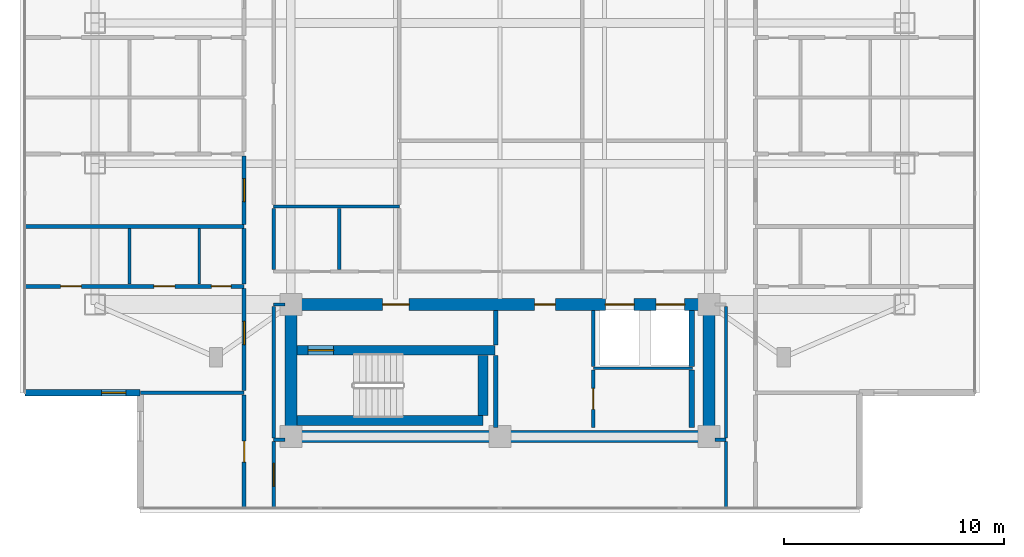
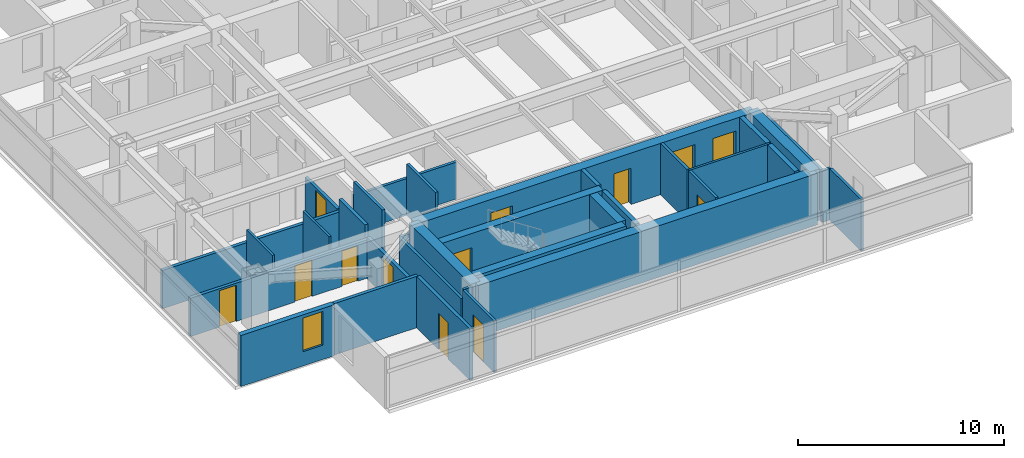
# One storey, part 12 of 25: 34 walls, 13 doors, 1 window, 14 openings.
"""IFC4 building model written with IfcOpenShell, lengths in metres."""

from ifc_helpers import new_model, si_unit, direction, frame, frame_2d, origin, place, context, subcontext, project, spatial, rectangle, extrude, material, layer, layer_set, type_object, element, fill, save


model = new_model("IFC4")

# Units and contexts
model_context = context("Model", 3, precision=1e-05, world=origin(), true_north=direction((0.0, 1.0)))
body_context = subcontext(model_context, "Body", "Model", "MODEL_VIEW")
ifc_project = project(units=[si_unit("LENGTHUNIT", "METRE"), si_unit("AREAUNIT", "SQUARE_METRE"), si_unit("VOLUMEUNIT", "CUBIC_METRE"), si_unit("PLANEANGLEUNIT", "RADIAN"), si_unit("MASSUNIT", "GRAM", prefix="KILO")], contexts=[model_context])

# Site, building, storey
site_placement = place(None, origin())
site = spatial("IfcSite", under=ifc_project, at=site_placement, CompositionType="ELEMENT")
building_placement = place(site_placement, origin())
building = spatial("IfcBuilding", under=site, at=building_placement, Name="Mirazonda Arch Towers", CompositionType="ELEMENT")
storey_placement = place(building_placement, frame((0.0, 0.0, 177.14990234375)))
storey = spatial("IfcBuildingStorey", under=building, at=storey_placement, Name="L50", CompositionType="ELEMENT", Elevation=177.14990234375)

# Wall
ifc_material_1 = material(Name="Concrete C50/60", Category="concrete")
ifc_layer_1 = layer(ifc_material_1, 0.449951171875, Name="WALL-CORE-450")
ifc_layer_set_1 = layer_set([ifc_layer_1], Name="Concrete C50/60")
wall_type_1 = type_object("IfcWallType", Name="WALL-CORE-450", PredefinedType="SHEAR", material=ifc_layer_set_1)
wall_1_placement = place(storey_placement, frame((11.27001953125, 13.1201171875, 0.0), z_axis=(0.0, 0.0, 1.0), x_axis=(1.0, 0.0, 0.0)))
element("IfcWall", 1, at=wall_1_placement, inside=storey, type_object=wall_type_1, Name="L50 Stair Core Shear Wall 003", PredefinedType="SHEAR", context=body_context, shape_type="SweptSolid", body=[
    extrude(rectangle(XDim=8.4599609375, YDim=0.449951171875, at=frame_2d((4.22998046875, 0.0))), origin(), (0.0, 0.0, 1.0), 3.050048828125),
])

# Wall, opening, door
wall_2_placement = place(storey_placement, frame((11.27001953125, 16.320068359375, 0.0), z_axis=(0.0, 0.0, 1.0), x_axis=(1.0, 0.0, 0.0)))
wall_2 = element("IfcWall", 2, at=wall_2_placement, inside=storey, type_object=wall_type_1, Name="L50 Stair Core Shear Wall 007", PredefinedType="SHEAR", context=body_context, shape_type="SweptSolid", body=[
    extrude(rectangle(XDim=9.010009765625, YDim=0.449951171875, at=frame_2d((4.5048828125, 0.0))), origin(), (0.0, 0.0, 1.0), 3.050048828125),
])
opening_1_placement = place(wall_2_placement, frame((0.52001953125, 0.0, 0.0)))
opening_1 = element("IfcOpeningElement", 3, at=opening_1_placement, cuts=wall_2, Name="Opening DR-135", PredefinedType="OPENING", context=body_context, shape_type="SweptSolid", body=[
    extrude(rectangle(XDim=1.14990234375, YDim=2.199951171875, at=frame_2d((0.574951171875, 1.10009765625))), frame((0.0, 0.23486328125, 0.0), z_axis=(0.0, -1.0, 0.0), x_axis=(1.0, 0.0, 0.0)), (0.0, 0.0, 1.0), 0.469970703125),
])
ifc_material_2 = material(Name="Architectural Brushed Steel S355", Category="steel")
door_type_1 = type_object("IfcDoorType", Name="DOOR-STAIR-FD90-1150", OperationType="NOTDEFINED", PredefinedType="DOOR", material=ifc_material_2)
door_1_placement = place(opening_1_placement, origin())
door_1 = element("IfcDoor", 4, at=door_1_placement, inside=storey, type_object=door_type_1, Name="L50 Protected Exit Stair South Door", OperationType="SINGLE_SWING_RIGHT", OverallHeight=2.199951171875, OverallWidth=1.14990234375, PredefinedType="DOOR", context=body_context, shape_type="SweptSolid", body=[
    extrude(rectangle(XDim=1.14990234375, YDim=2.199951171875, at=frame_2d((0.574951171875, 1.10009765625))), frame((0.0, 0.02490234375, 0.0), z_axis=(0.0, -1.0, 0.0), x_axis=(1.0, 0.0, 0.0)), (0.0, 0.0, 1.0), 0.050048828125),
])
fill(opening_1, door_1)

# Walls
wall_3_placement = place(storey_placement, frame((19.72998046875, 13.35498046875, 0.0), z_axis=(0.0, 0.0, 1.0), x_axis=(0.0, 1.0, 0.0)))
element("IfcWall", 5, at=wall_3_placement, inside=storey, type_object=wall_type_1, Name="L50 Stair Core Shear Wall 096", PredefinedType="SHEAR", context=body_context, shape_type="SweptSolid", body=[
    extrude(rectangle(XDim=2.72998046875, YDim=0.449951171875, at=frame_2d((1.364990234375, 0.0))), origin(), (0.0, 0.0, 1.0), 3.050048828125),
])
ifc_layer_2 = layer(ifc_material_1, 0.550048828125, Name="WALL-CORE-550")
ifc_layer_set_2 = layer_set([ifc_layer_2], Name="Concrete C50/60")
wall_type_2 = type_object("IfcWallType", Name="WALL-CORE-550", PredefinedType="SHEAR", material=ifc_layer_set_2)
wall_4_placement = place(storey_placement, frame((11.0, 12.39990234375, 0.0), z_axis=(0.0, 0.0, 1.0), x_axis=(1.0, 0.0, 0.0)))
element("IfcWall", 6, at=wall_4_placement, inside=storey, type_object=wall_type_2, Name="L50 T1S-S Core Shear Wall", PredefinedType="SHEAR", context=body_context, shape_type="SweptSolid", body=[
    extrude(rectangle(XDim=19.0, YDim=0.550048828125, at=frame_2d((9.5, 0.0))), origin(), (0.0, 0.0, 1.0), 3.050048828125),
])
for number, where, z_axis, x_axis, name in (
    (7, (11.0, 12.39990234375, 0.0), (0.0, 0.0, 1.0), (0.0, 1.0, 0.0), "L50 T1S-W Core Shear Wall"),
    (8, (30.0, 12.39990234375, 0.0), (0.0, 0.0, 1.0), (0.0, 1.0, 0.0), "L50 T1S-E Core Shear Wall"),
):
    element("IfcWall", number, at=place(storey_placement, frame(where, z_axis=z_axis, x_axis=x_axis)), inside=storey, type_object=wall_type_2, Name=name, PredefinedType="SHEAR", context=body_context, shape_type="SweptSolid", body=[
        extrude(rectangle(XDim=6.0, YDim=0.550048828125, at=frame_2d((3.0, 0.0))), origin(), (0.0, 0.0, 1.0), 3.050048828125),
    ])

# Wall, openings, doors
wall_5_placement = place(storey_placement, frame((11.0, 18.39990234375, 0.0), z_axis=(0.0, 0.0, 1.0), x_axis=(1.0, 0.0, 0.0)))
wall_5 = element("IfcWall", 9, at=wall_5_placement, inside=storey, type_object=wall_type_2, Name="L50 T1S-N Core Shear Wall", PredefinedType="SHEAR", context=body_context, shape_type="SweptSolid", body=[
    extrude(rectangle(XDim=19.0, YDim=0.550048828125, at=frame_2d((9.5, 0.0))), origin(), (0.0, 0.0, 1.0), 3.050048828125),
])
opening_2_placement = place(wall_5_placement, frame((4.175048828125, 0.0, 0.0)))
opening_2 = element("IfcOpeningElement", 10, at=opening_2_placement, cuts=wall_5, Name="Opening DR-117", PredefinedType="OPENING", context=body_context, shape_type="SweptSolid", body=[
    extrude(rectangle(XDim=1.199951171875, YDim=2.25, at=frame_2d((0.60009765625, 1.125))), frame((0.0, 0.284912109375, 0.0), z_axis=(0.0, -1.0, 0.0), x_axis=(1.0, 0.0, 0.0)), (0.0, 0.0, 1.0), 0.570068359375),
])
opening_3_placement = place(wall_5_placement, frame((11.074951171875, 0.0, 0.0)))
opening_3 = element("IfcOpeningElement", 11, at=opening_3_placement, cuts=wall_5, Name="Opening DR-104", PredefinedType="OPENING", context=body_context, shape_type="SweptSolid", body=[
    extrude(rectangle(XDim=0.949951171875, YDim=2.14990234375, at=frame_2d((0.47509765625, 1.074951171875))), frame((0.0, 0.284912109375, 0.0), z_axis=(0.0, -1.0, 0.0), x_axis=(1.0, 0.0, 0.0)), (0.0, 0.0, 1.0), 0.570068359375),
])
opening_4_placement = place(wall_5_placement, frame((14.300048828125, 0.0, 0.0)))
opening_4 = element("IfcOpeningElement", 12, at=opening_4_placement, cuts=wall_5, Name="Opening LD-111", PredefinedType="OPENING", context=body_context, shape_type="SweptSolid", body=[
    extrude(rectangle(XDim=1.300048828125, YDim=2.300048828125, at=frame_2d((0.64990234375, 1.14990234375))), frame((0.0, 0.284912109375, 0.0), z_axis=(0.0, -1.0, 0.0), x_axis=(1.0, 0.0, 0.0)), (0.0, 0.0, 1.0), 0.570068359375),
])
opening_5_placement = place(wall_5_placement, frame((16.60009765625, 0.0, 0.0)))
opening_5 = element("IfcOpeningElement", 13, at=opening_5_placement, cuts=wall_5, Name="Opening LD-111", PredefinedType="OPENING", context=body_context, shape_type="SweptSolid", body=[
    extrude(rectangle(XDim=1.300048828125, YDim=2.300048828125, at=frame_2d((0.64990234375, 1.14990234375))), frame((0.0, 0.284912109375, 0.0), z_axis=(0.0, -1.0, 0.0), x_axis=(1.0, 0.0, 0.0)), (0.0, 0.0, 1.0), 0.570068359375),
])
door_type_2 = type_object("IfcDoorType", Name="DOOR-FFL-FD90-1200", OperationType="NOTDEFINED", PredefinedType="DOOR", material=ifc_material_2)
door_2_placement = place(opening_2_placement, origin())
door_2 = element("IfcDoor", 14, at=door_2_placement, inside=storey, type_object=door_type_2, Name="L50 South Core Stair & Lift Lobby Door", OperationType="SINGLE_SWING_LEFT", OverallHeight=2.25, OverallWidth=1.199951171875, PredefinedType="DOOR", context=body_context, shape_type="SweptSolid", body=[
    extrude(rectangle(XDim=1.199951171875, YDim=2.25, at=frame_2d((0.60009765625, 1.125))), frame((0.0, 0.02490234375, 0.0), z_axis=(0.0, -1.0, 0.0), x_axis=(1.0, 0.0, 0.0)), (0.0, 0.0, 1.0), 0.050048828125),
])
fill(opening_2, door_2)
door_type_3 = type_object("IfcDoorType", Name="DOOR-LIFT-LAND-1300", OperationType="NOTDEFINED", PredefinedType="DOOR", material=ifc_material_2)
door_3_placement = place(opening_4_placement, origin())
door_3 = element("IfcDoor", 15, at=door_3_placement, inside=storey, type_object=door_type_3, Name="L50 Lift Landing Sliding Door PL-T1H1", OperationType="DOUBLE_DOOR_SLIDING", OverallHeight=2.300048828125, OverallWidth=1.300048828125, PredefinedType="DOOR", context=body_context, shape_type="SweptSolid", body=[
    extrude(rectangle(XDim=1.300048828125, YDim=2.300048828125, at=frame_2d((0.64990234375, 1.14990234375))), frame((0.0, 0.02490234375, 0.0), z_axis=(0.0, -1.0, 0.0), x_axis=(1.0, 0.0, 0.0)), (0.0, 0.0, 1.0), 0.050048828125),
])
fill(opening_4, door_3)
door_4_placement = place(opening_5_placement, origin())
door_4 = element("IfcDoor", 16, at=door_4_placement, inside=storey, type_object=door_type_3, Name="L50 Lift Landing Sliding Door PL-T1H2", OperationType="DOUBLE_DOOR_SLIDING", OverallHeight=2.300048828125, OverallWidth=1.300048828125, PredefinedType="DOOR", context=body_context, shape_type="SweptSolid", body=[
    extrude(rectangle(XDim=1.300048828125, YDim=2.300048828125, at=frame_2d((0.64990234375, 1.14990234375))), frame((0.0, 0.02490234375, 0.0), z_axis=(0.0, -1.0, 0.0), x_axis=(1.0, 0.0, 0.0)), (0.0, 0.0, 1.0), 0.050048828125),
])
fill(opening_5, door_4)
door_type_4 = type_object("IfcDoorType", Name="DOOR-ROOM-950", OperationType="NOTDEFINED", PredefinedType="DOOR", material=ifc_material_2)
door_5_placement = place(opening_3_placement, origin())
door_5 = element("IfcDoor", 17, at=door_5_placement, inside=storey, type_object=door_type_4, Name="L50 Residents Wine Tasting Lounge Door", OperationType="SINGLE_SWING_LEFT", OverallHeight=2.14990234375, OverallWidth=0.949951171875, PredefinedType="DOOR", context=body_context, shape_type="SweptSolid", body=[
    extrude(rectangle(XDim=0.949951171875, YDim=2.14990234375, at=frame_2d((0.47509765625, 1.074951171875))), frame((0.0, 0.02490234375, 0.0), z_axis=(0.0, -1.0, 0.0), x_axis=(1.0, 0.0, 0.0)), (0.0, 0.0, 1.0), 0.050048828125),
])
fill(opening_3, door_5)

# Wall, opening, window
ifc_material_3 = material(Name="Precast Concrete C40/50", Category="concrete")
ifc_layer_3 = layer(ifc_material_3, 0.280029296875, Name="WALL-EXT-WALL-280")
ifc_layer_set_3 = layer_set([ifc_layer_3], Name="Precast Concrete C40/50")
wall_type_3 = type_object("IfcWallType", Name="WALL-EXT-WALL-280", PredefinedType="SOLIDWALL", material=ifc_layer_set_3)
wall_6_placement = place(storey_placement, frame((-1.090087890625, 14.388916015625, 0.0), z_axis=(0.0, 0.0, 1.0), x_axis=(1.0, 0.0, 0.0)))
wall_6 = element("IfcWall", 18, at=wall_6_placement, inside=storey, type_object=wall_type_3, Name="L50 T1 Corner Notch Return Wall WL-L50-T1-CSW2", PredefinedType="SOLIDWALL", context=body_context, shape_type="SweptSolid", body=[
    extrude(rectangle(XDim=5.2451171875, YDim=0.280029296875, at=frame_2d((2.62255859375, 0.0))), origin(), (0.0, 0.0, 1.0), 3.030029296875),
])
opening_6_placement = place(wall_6_placement, frame((3.4951171875, 0.0, 0.85009765625)))
opening_6 = element("IfcOpeningElement", 19, at=opening_6_placement, cuts=wall_6, Name="Opening WN-108", PredefinedType="OPENING", context=body_context, shape_type="SweptSolid", body=[
    extrude(rectangle(XDim=1.10009765625, YDim=2.0, at=frame_2d((0.550048828125, 1.0))), frame((0.0, 0.14990234375, 0.0), z_axis=(0.0, -1.0, 0.0), x_axis=(1.0, 0.0, 0.0)), (0.0, 0.0, 1.0), 0.300048828125),
])
ifc_material_4 = material(Name="Insulated Low-E Solar Glass", Category="glass")
window_type = type_object("IfcWindowType", Name="WIN-NOTCH-1100x2000", PartitioningType="SINGLE_PANEL", PredefinedType="WINDOW", material=ifc_material_4)
window_placement = place(opening_6_placement, origin())
window = element("IfcWindow", 20, at=window_placement, inside=storey, type_object=window_type, Name="L50 Punched Facade Window WN-L50-T1-CSW2", OverallHeight=2.0, OverallWidth=1.10009765625, PartitioningType="SINGLE_PANEL", PredefinedType="WINDOW", context=body_context, shape_type="SweptSolid", body=[
    extrude(rectangle(XDim=1.10009765625, YDim=2.0, at=frame_2d((0.550048828125, 1.0))), frame((0.0, 0.030029296875, 0.0), z_axis=(0.0, -1.0, 0.0), x_axis=(1.0, 0.0, 0.0)), (0.0, 0.0, 1.0), 0.06005859375),
])
fill(opening_6, window)

# Walls
ifc_material_5 = material(Name="Concrete C40/50", Category="concrete")
ifc_layer_4 = layer(ifc_material_5, 0.219970703125, Name="WALL-FFL-220")
ifc_layer_set_4 = layer_set([ifc_layer_4], Name="Concrete C40/50")
wall_type_4 = type_object("IfcWallType", Name="WALL-FFL-220", PredefinedType="SOLIDWALL", material=ifc_layer_set_4)
wall_7_placement = place(storey_placement, frame((20.31494140625, 12.800048828125, 0.0), z_axis=(0.0, 0.0, 1.0), x_axis=(0.0, 1.0, 0.0)))
element("IfcWall", 21, at=wall_7_placement, inside=storey, type_object=wall_type_4, Name="L50 Interior Partition 098", PredefinedType="SOLIDWALL", context=body_context, shape_type="SweptSolid", body=[
    extrude(rectangle(XDim=3.284912109375, YDim=0.219970703125, at=frame_2d((1.642578125, 0.0))), origin(), (0.0, 0.0, 1.0), 3.050048828125),
])
wall_8_placement = place(storey_placement, frame((20.31494140625, 16.554931640625, 0.0), z_axis=(0.0, 0.0, 1.0), x_axis=(0.0, 1.0, 0.0)))
element("IfcWall", 22, at=wall_8_placement, inside=storey, type_object=wall_type_4, Name="L50 Interior Partition 099", PredefinedType="SOLIDWALL", context=body_context, shape_type="SweptSolid", body=[
    extrude(rectangle(XDim=1.574951171875, YDim=0.219970703125, at=frame_2d((0.78759765625, 0.0))), origin(), (0.0, 0.0, 1.0), 3.050048828125),
])
ifc_material_6 = material(Name="Fire-Rated Gypsum Stud Partition")
ifc_layer_5 = layer(ifc_material_6, 0.14990234375, Name="WALL-PART-CORR-150")
ifc_layer_set_5 = layer_set([ifc_layer_5], Name="Fire-Rated Gypsum Stud Partition")
wall_type_5 = type_object("IfcWallType", Name="WALL-PART-CORR-150", PredefinedType="PARTITIONING", material=ifc_layer_set_5)
for number, where, z_axis, x_axis, name in (
    (23, (10.219970703125, 12.25, 0.0), (0.0, 0.0, 1.0), (1.0, 0.0, 0.0), "L50 Interior Partition 001"),
    (24, (30.27001953125, 12.25, 0.0), (0.0, 0.0, 1.0), (1.0, 0.0, 0.0), "L50 Interior Partition 002"),
):
    element("IfcWall", number, at=place(storey_placement, frame(where, z_axis=z_axis, x_axis=x_axis)), inside=storey, type_object=wall_type_5, Name=name, PredefinedType="PARTITIONING", context=body_context, shape_type="SweptSolid", body=[
        extrude(rectangle(XDim=0.510009765625, YDim=0.14990234375, at=frame_2d((0.2548828125, 0.0))), origin(), (0.0, 0.0, 1.0), 3.050048828125),
    ])
wall_9_placement = place(storey_placement, frame((10.219970703125, 18.39990234375, 0.0), z_axis=(0.0, 0.0, 1.0), x_axis=(1.0, 0.0, 0.0)))
element("IfcWall", 25, at=wall_9_placement, inside=storey, type_object=wall_type_5, Name="L50 Interior Partition 011", PredefinedType="PARTITIONING", context=body_context, shape_type="SweptSolid", body=[
    extrude(rectangle(XDim=0.510009765625, YDim=0.14990234375, at=frame_2d((0.2548828125, 0.0))), origin(), (0.0, 0.0, 1.0), 2.442138671875),
])
wall_10_placement = place(storey_placement, frame((10.219970703125, 22.85009765625, 0.0), z_axis=(0.0, 0.0, 1.0), x_axis=(1.0, 0.0, 0.0)))
element("IfcWall", 26, at=wall_10_placement, inside=storey, type_object=wall_type_5, Name="L50 Interior Partition 025", PredefinedType="PARTITIONING", context=body_context, shape_type="SweptSolid", body=[
    extrude(rectangle(XDim=5.7099609375, YDim=0.14990234375, at=frame_2d((2.85498046875, 0.0))), origin(), (0.0, 0.0, 1.0), 2.18603515625),
])

# Wall, opening, door
wall_11_placement = place(storey_placement, frame((10.219970703125, 9.14404296875, 0.0), z_axis=(0.0, 0.0, 1.0), x_axis=(0.0, 1.0, 0.0)))
wall_11 = element("IfcWall", 27, at=wall_11_placement, inside=storey, type_object=wall_type_5, Name="L50 Interior Partition 082", PredefinedType="PARTITIONING", context=body_context, shape_type="SweptSolid", body=[
    extrude(rectangle(XDim=3.02099609375, YDim=0.14990234375, at=frame_2d((1.510498046875, 0.0))), origin(), (0.0, 0.0, 1.0), 3.050048828125),
])
opening_7_placement = place(wall_11_placement, frame((0.985595703125, 0.0, 0.0)))
opening_7 = element("IfcOpeningElement", 28, at=opening_7_placement, cuts=wall_11, Name="Opening DR-121", PredefinedType="OPENING", context=body_context, shape_type="SweptSolid", body=[
    extrude(rectangle(XDim=1.050048828125, YDim=2.199951171875, at=frame_2d((0.52490234375, 1.10009765625))), frame((0.0, 0.0849609375, 0.0), z_axis=(0.0, -1.0, 0.0), x_axis=(1.0, 0.0, 0.0)), (0.0, 0.0, 1.0), 0.169921875),
])
door_type_5 = type_object("IfcDoorType", Name="DOOR-SUITE-FD60-1050", OperationType="NOTDEFINED", PredefinedType="DOOR", material=ifc_material_2)
door_6_placement = place(opening_7_placement, origin())
door_6 = element("IfcDoor", 29, at=door_6_placement, inside=storey, type_object=door_type_5, Name="L50 South Panoramic Study Gallery Door", OperationType="SINGLE_SWING_RIGHT", OverallHeight=2.199951171875, OverallWidth=1.050048828125, PredefinedType="DOOR", context=body_context, shape_type="SweptSolid", body=[
    extrude(rectangle(XDim=1.050048828125, YDim=2.199951171875, at=frame_2d((0.52490234375, 1.10009765625))), frame((0.0, 0.02490234375, 0.0), z_axis=(0.0, -1.0, 0.0), x_axis=(1.0, 0.0, 0.0)), (0.0, 0.0, 1.0), 0.050048828125),
])
fill(opening_7, door_6)

# Walls
wall_12_placement = place(storey_placement, frame((10.219970703125, 12.3349609375, 0.0), z_axis=(0.0, 0.0, 1.0), x_axis=(0.0, 1.0, 0.0)))
element("IfcWall", 30, at=wall_12_placement, inside=storey, type_object=wall_type_5, Name="L50 Interior Partition 083", PredefinedType="PARTITIONING", context=body_context, shape_type="SweptSolid", body=[
    extrude(rectangle(XDim=5.97998046875, YDim=0.14990234375, at=frame_2d((2.989990234375, 0.0))), origin(), (0.0, 0.0, 1.0), 2.442138671875),
])
for number, where, z_axis, x_axis, name in (
    (31, (10.219970703125, 19.985107421875, 0.0), (0.0, 0.0, 1.0), (0.0, 1.0, 0.0), "L50 Interior Partition 084"),
    (32, (13.199951171875, 19.985107421875, 0.0), (0.0, 0.0, 1.0), (0.0, 1.0, 0.0), "L50 Interior Partition 089"),
):
    element("IfcWall", number, at=place(storey_placement, frame(where, z_axis=z_axis, x_axis=x_axis)), inside=storey, type_object=wall_type_5, Name=name, PredefinedType="PARTITIONING", context=body_context, shape_type="SweptSolid", body=[
        extrude(rectangle(XDim=2.77978515625, YDim=0.14990234375, at=frame_2d((1.389892578125, 0.0))), origin(), (0.0, 0.0, 1.0), 3.050048828125),
    ])

# Wall, opening, door
wall_13_placement = place(storey_placement, frame((24.75, 12.800048828125, 0.0), z_axis=(0.0, 0.0, 1.0), x_axis=(0.0, 1.0, 0.0)))
wall_13 = element("IfcWall", 33, at=wall_13_placement, inside=storey, type_object=wall_type_5, Name="L50 Interior Partition 103", PredefinedType="PARTITIONING", context=body_context, shape_type="SweptSolid", body=[
    extrude(rectangle(XDim=2.62744140625, YDim=0.14990234375, at=frame_2d((1.313720703125, 0.0))), origin(), (0.0, 0.0, 1.0), 3.050048828125),
])
opening_8_placement = place(wall_13_placement, frame((0.838623046875, 0.0, 0.0)))
opening_8 = element("IfcOpeningElement", 34, at=opening_8_placement, cuts=wall_13, Name="Opening DR-104", PredefinedType="OPENING", context=body_context, shape_type="SweptSolid", body=[
    extrude(rectangle(XDim=0.949951171875, YDim=2.14990234375, at=frame_2d((0.47509765625, 1.074951171875))), frame((0.0, 0.0849609375, 0.0), z_axis=(0.0, -1.0, 0.0), x_axis=(1.0, 0.0, 0.0)), (0.0, 0.0, 1.0), 0.169921875),
])
door_7_placement = place(opening_8_placement, origin())
door_7 = element("IfcDoor", 35, at=door_7_placement, inside=storey, type_object=door_type_4, Name="L50 Residents Private Archive Study Door", OperationType="SINGLE_SWING_RIGHT", OverallHeight=2.14990234375, OverallWidth=0.949951171875, PredefinedType="DOOR", context=body_context, shape_type="SweptSolid", body=[
    extrude(rectangle(XDim=0.949951171875, YDim=2.14990234375, at=frame_2d((0.47509765625, 1.074951171875))), frame((0.0, 0.02490234375, 0.0), z_axis=(0.0, -1.0, 0.0), x_axis=(1.0, 0.0, 0.0)), (0.0, 0.0, 1.0), 0.050048828125),
])
fill(opening_8, door_7)

# Walls
wall_14_placement = place(storey_placement, frame((24.75, 15.572509765625, 0.0), z_axis=(0.0, 0.0, 1.0), x_axis=(0.0, 1.0, 0.0)))
element("IfcWall", 36, at=wall_14_placement, inside=storey, type_object=wall_type_5, Name="L50 Interior Partition 104", PredefinedType="PARTITIONING", context=body_context, shape_type="SweptSolid", body=[
    extrude(rectangle(XDim=2.557373046875, YDim=0.14990234375, at=frame_2d((1.27880859375, 0.0))), origin(), (0.0, 0.0, 1.0), 3.050048828125),
])
wall_15_placement = place(storey_placement, frame((30.780029296875, 9.14404296875, 0.0), z_axis=(0.0, 0.0, 1.0), x_axis=(0.0, 1.0, 0.0)))
element("IfcWall", 37, at=wall_15_placement, inside=storey, type_object=wall_type_5, Name="L50 Interior Partition 114", PredefinedType="PARTITIONING", context=body_context, shape_type="SweptSolid", body=[
    extrude(rectangle(XDim=3.02099609375, YDim=0.14990234375, at=frame_2d((1.510498046875, 0.0))), origin(), (0.0, 0.0, 1.0), 3.050048828125),
])
wall_16_placement = place(storey_placement, frame((30.780029296875, 12.3349609375, 0.0), z_axis=(0.0, 0.0, 1.0), x_axis=(0.0, 1.0, 0.0)))
element("IfcWall", 38, at=wall_16_placement, inside=storey, type_object=wall_type_5, Name="L50 Interior Partition 115", PredefinedType="PARTITIONING", context=body_context, shape_type="SweptSolid", body=[
    extrude(rectangle(XDim=5.97998046875, YDim=0.14990234375, at=frame_2d((2.989990234375, 0.0))), origin(), (0.0, 0.0, 1.0), 2.442138671875),
])
ifc_material_7 = material(Name="Fire-Rated Gypsum Twin-Stud Assembly")
ifc_layer_6 = layer(ifc_material_7, 0.179931640625, Name="WALL-PART-DEMISE-180")
ifc_layer_set_6 = layer_set([ifc_layer_6], Name="Fire-Rated Gypsum Twin-Stud Assembly")
wall_type_6 = type_object("IfcWallType", Name="WALL-PART-DEMISE-180", PredefinedType="PARTITIONING", material=ifc_layer_set_6)
wall_17_placement = place(storey_placement, frame((4.175048828125, 14.388916015625, 0.0), z_axis=(0.0, 0.0, 1.0), x_axis=(1.0, 0.0, 0.0)))
element("IfcWall", 39, at=wall_17_placement, inside=storey, type_object=wall_type_6, Name="L50 Interior Partition 004", PredefinedType="PARTITIONING", context=body_context, shape_type="SweptSolid", body=[
    extrude(rectangle(XDim=4.704833984375, YDim=0.179931640625, at=frame_2d((2.3525390625, 0.0))), origin(), (0.0, 0.0, 1.0), 3.050048828125),
])

# Wall, openings, doors
wall_18_placement = place(storey_placement, frame((-1.090087890625, 19.22509765625, 0.0), z_axis=(0.0, 0.0, 1.0), x_axis=(1.0, 0.0, 0.0)))
wall_18 = element("IfcWall", 40, at=wall_18_placement, inside=storey, type_object=wall_type_6, Name="L50 Interior Partition 014", PredefinedType="PARTITIONING", context=body_context, shape_type="SweptSolid", body=[
    extrude(rectangle(XDim=9.969970703125, YDim=0.179931640625, at=frame_2d((4.98486328125, 0.0))), origin(), (0.0, 0.0, 1.0), 2.26904296875),
])
opening_9_placement = place(wall_18_placement, frame((1.6240234375, 0.0, 0.0)))
opening_9 = element("IfcOpeningElement", 41, at=opening_9_placement, cuts=wall_18, Name="Opening DR-104", PredefinedType="OPENING", context=body_context, shape_type="SweptSolid", body=[
    extrude(rectangle(XDim=0.949951171875, YDim=2.14990234375, at=frame_2d((0.47509765625, 1.074951171875))), frame((0.0, 0.099853515625, 0.0), z_axis=(0.0, -1.0, 0.0), x_axis=(1.0, 0.0, 0.0)), (0.0, 0.0, 1.0), 0.199951171875),
])
opening_10_placement = place(wall_18_placement, frame((5.868896484375, 0.0, 0.0)))
opening_10 = element("IfcOpeningElement", 42, at=opening_10_placement, cuts=wall_18, Name="Opening DR-104", PredefinedType="OPENING", context=body_context, shape_type="SweptSolid", body=[
    extrude(rectangle(XDim=0.949951171875, YDim=2.14990234375, at=frame_2d((0.47509765625, 1.074951171875))), frame((0.0, 0.099853515625, 0.0), z_axis=(0.0, -1.0, 0.0), x_axis=(1.0, 0.0, 0.0)), (0.0, 0.0, 1.0), 0.199951171875),
])
opening_11_placement = place(wall_18_placement, frame((8.47998046875, 0.0, 0.0)))
opening_11 = element("IfcOpeningElement", 43, at=opening_11_placement, cuts=wall_18, Name="Opening DR-120", PredefinedType="OPENING", context=body_context, shape_type="SweptSolid", body=[
    extrude(rectangle(XDim=0.89990234375, YDim=2.10009765625, at=frame_2d((0.449951171875, 1.050048828125))), frame((0.0, 0.099853515625, 0.0), z_axis=(0.0, -1.0, 0.0), x_axis=(1.0, 0.0, 0.0)), (0.0, 0.0, 1.0), 0.199951171875),
])
door_8_placement = place(opening_9_placement, origin())
door_8 = element("IfcDoor", 44, at=door_8_placement, inside=storey, type_object=door_type_4, Name="L50 Residence 1 Principal Bedroom Door", OperationType="SINGLE_SWING_LEFT", OverallHeight=2.14990234375, OverallWidth=0.949951171875, PredefinedType="DOOR", context=body_context, shape_type="SweptSolid", body=[
    extrude(rectangle(XDim=0.949951171875, YDim=2.14990234375, at=frame_2d((0.47509765625, 1.074951171875))), frame((0.0, 0.02490234375, 0.0), z_axis=(0.0, -1.0, 0.0), x_axis=(1.0, 0.0, 0.0)), (0.0, 0.0, 1.0), 0.050048828125),
])
fill(opening_9, door_8)
door_9_placement = place(opening_10_placement, origin())
door_9 = element("IfcDoor", 45, at=door_9_placement, inside=storey, type_object=door_type_4, Name="L50 Residence 1 Fitted Kitchen Door", OperationType="SINGLE_SWING_RIGHT", OverallHeight=2.14990234375, OverallWidth=0.949951171875, PredefinedType="DOOR", context=body_context, shape_type="SweptSolid", body=[
    extrude(rectangle(XDim=0.949951171875, YDim=2.14990234375, at=frame_2d((0.47509765625, 1.074951171875))), frame((0.0, 0.02490234375, 0.0), z_axis=(0.0, -1.0, 0.0), x_axis=(1.0, 0.0, 0.0)), (0.0, 0.0, 1.0), 0.050048828125),
])
fill(opening_10, door_9)
door_type_6 = type_object("IfcDoorType", Name="DOOR-WC-900", OperationType="NOTDEFINED", PredefinedType="DOOR", material=ifc_material_2)
door_10_placement = place(opening_11_placement, origin())
door_10 = element("IfcDoor", 46, at=door_10_placement, inside=storey, type_object=door_type_6, Name="L50 Residence 1 Bathroom Door", OperationType="SINGLE_SWING_LEFT", OverallHeight=2.10009765625, OverallWidth=0.89990234375, PredefinedType="DOOR", context=body_context, shape_type="SweptSolid", body=[
    extrude(rectangle(XDim=0.89990234375, YDim=2.10009765625, at=frame_2d((0.449951171875, 1.050048828125))), frame((0.0, 0.02490234375, 0.0), z_axis=(0.0, -1.0, 0.0), x_axis=(1.0, 0.0, 0.0)), (0.0, 0.0, 1.0), 0.050048828125),
])
fill(opening_11, door_10)

# Wall
wall_19_placement = place(storey_placement, frame((-1.090087890625, 21.945068359375, 0.0), z_axis=(0.0, 0.0, 1.0), x_axis=(1.0, 0.0, 0.0)))
element("IfcWall", 47, at=wall_19_placement, inside=storey, type_object=wall_type_6, Name="L50 Interior Partition 021", PredefinedType="PARTITIONING", context=body_context, shape_type="SweptSolid", body=[
    extrude(rectangle(XDim=9.969970703125, YDim=0.179931640625, at=frame_2d((4.98486328125, 0.0))), origin(), (0.0, 0.0, 1.0), 2.26904296875),
])

# Wall, opening, door
wall_20_placement = place(storey_placement, frame((8.8798828125, 9.14404296875, 0.0), z_axis=(0.0, 0.0, 1.0), x_axis=(0.0, 1.0, 0.0)))
wall_20 = element("IfcWall", 48, at=wall_20_placement, inside=storey, type_object=wall_type_6, Name="L50 Interior Partition 072", PredefinedType="PARTITIONING", context=body_context, shape_type="SweptSolid", body=[
    extrude(rectangle(XDim=5.14501953125, YDim=0.179931640625, at=frame_2d((2.572509765625, 0.0))), origin(), (0.0, 0.0, 1.0), 3.050048828125),
])
opening_12_placement = place(wall_20_placement, frame((2.097412109375, 0.0, 0.0)))
opening_12 = element("IfcOpeningElement", 49, at=opening_12_placement, cuts=wall_20, Name="Opening DR-104", PredefinedType="OPENING", context=body_context, shape_type="SweptSolid", body=[
    extrude(rectangle(XDim=0.949951171875, YDim=2.14990234375, at=frame_2d((0.47509765625, 1.074951171875))), frame((0.0, 0.099853515625, 0.0), z_axis=(0.0, -1.0, 0.0), x_axis=(1.0, 0.0, 0.0)), (0.0, 0.0, 1.0), 0.199951171875),
])
door_11_placement = place(opening_12_placement, origin())
door_11 = element("IfcDoor", 50, at=door_11_placement, inside=storey, type_object=door_type_4, Name="L50 South Panoramic Study Alcove West Door", OperationType="SINGLE_SWING_LEFT", OverallHeight=2.14990234375, OverallWidth=0.949951171875, PredefinedType="DOOR", context=body_context, shape_type="SweptSolid", body=[
    extrude(rectangle(XDim=0.949951171875, YDim=2.14990234375, at=frame_2d((0.47509765625, 1.074951171875))), frame((0.0, 0.02490234375, 0.0), z_axis=(0.0, -1.0, 0.0), x_axis=(1.0, 0.0, 0.0)), (0.0, 0.0, 1.0), 0.050048828125),
])
fill(opening_12, door_11)

wall_21_placement = place(storey_placement, frame((8.8798828125, 14.489013671875, 0.0), z_axis=(0.0, 0.0, 1.0), x_axis=(0.0, 1.0, 0.0)))
wall_21 = element("IfcWall", 51, at=wall_21_placement, inside=storey, type_object=wall_type_6, Name="L50 Interior Partition 073", PredefinedType="PARTITIONING", context=body_context, shape_type="SweptSolid", body=[
    extrude(rectangle(XDim=4.635986328125, YDim=0.179931640625, at=frame_2d((2.31787109375, 0.0))), origin(), (0.0, 0.0, 1.0), 2.442138671875),
])
opening_13_placement = place(wall_21_placement, frame((2.093017578125, 0.0, 0.0)))
opening_13 = element("IfcOpeningElement", 52, at=opening_13_placement, cuts=wall_21, Name="Opening DR-121", PredefinedType="OPENING", context=body_context, shape_type="SweptSolid", body=[
    extrude(rectangle(XDim=1.050048828125, YDim=2.199951171875, at=frame_2d((0.52490234375, 1.10009765625))), frame((0.0, 0.099853515625, 0.0), z_axis=(0.0, -1.0, 0.0), x_axis=(1.0, 0.0, 0.0)), (0.0, 0.0, 1.0), 0.199951171875),
])
door_12_placement = place(opening_13_placement, origin())
door_12 = element("IfcDoor", 53, at=door_12_placement, inside=storey, type_object=door_type_5, Name="L50 Residence 1 Living & Dining Salon Door", OperationType="SINGLE_SWING_RIGHT", OverallHeight=2.199951171875, OverallWidth=1.050048828125, PredefinedType="DOOR", context=body_context, shape_type="SweptSolid", body=[
    extrude(rectangle(XDim=1.050048828125, YDim=2.199951171875, at=frame_2d((0.52490234375, 1.10009765625))), frame((0.0, 0.02490234375, 0.0), z_axis=(0.0, -1.0, 0.0), x_axis=(1.0, 0.0, 0.0)), (0.0, 0.0, 1.0), 0.050048828125),
])
fill(opening_13, door_12)

# Wall
wall_22_placement = place(storey_placement, frame((8.8798828125, 19.324951171875, 0.0), z_axis=(0.0, 0.0, 1.0), x_axis=(0.0, 1.0, 0.0)))
element("IfcWall", 54, at=wall_22_placement, inside=storey, type_object=wall_type_6, Name="L50 Interior Partition 074", PredefinedType="PARTITIONING", context=body_context, shape_type="SweptSolid", body=[
    extrude(rectangle(XDim=2.52001953125, YDim=0.179931640625, at=frame_2d((1.260009765625, 0.0))), origin(), (0.0, 0.0, 1.0), 3.050048828125),
])

# Wall, opening, door
wall_23_placement = place(storey_placement, frame((8.8798828125, 22.044921875, 0.0), z_axis=(0.0, 0.0, 1.0), x_axis=(0.0, 1.0, 0.0)))
wall_23 = element("IfcWall", 55, at=wall_23_placement, inside=storey, type_object=wall_type_6, Name="L50 Interior Partition 075", PredefinedType="PARTITIONING", context=body_context, shape_type="SweptSolid", body=[
    extrude(rectangle(XDim=3.10400390625, YDim=0.179931640625, at=frame_2d((1.552001953125, 0.0))), origin(), (0.0, 0.0, 1.0), 2.34619140625),
])
opening_14_placement = place(wall_23_placement, frame((1.027099609375, 0.0, 0.0)))
opening_14 = element("IfcOpeningElement", 56, at=opening_14_placement, cuts=wall_23, Name="Opening DR-121", PredefinedType="OPENING", context=body_context, shape_type="SweptSolid", body=[
    extrude(rectangle(XDim=1.050048828125, YDim=2.199951171875, at=frame_2d((0.52490234375, 1.10009765625))), frame((0.0, 0.099853515625, 0.0), z_axis=(0.0, -1.0, 0.0), x_axis=(1.0, 0.0, 0.0)), (0.0, 0.0, 1.0), 0.199951171875),
])
door_13_placement = place(opening_14_placement, origin())
door_13 = element("IfcDoor", 57, at=door_13_placement, inside=storey, type_object=door_type_5, Name="L50 Residence 2 Living & Dining Salon Door", OperationType="SINGLE_SWING_RIGHT", OverallHeight=2.199951171875, OverallWidth=1.050048828125, PredefinedType="DOOR", context=body_context, shape_type="SweptSolid", body=[
    extrude(rectangle(XDim=1.050048828125, YDim=2.199951171875, at=frame_2d((0.52490234375, 1.10009765625))), frame((0.0, 0.02490234375, 0.0), z_axis=(0.0, -1.0, 0.0), x_axis=(1.0, 0.0, 0.0)), (0.0, 0.0, 1.0), 0.050048828125),
])
fill(opening_14, door_13)

# Walls
ifc_material_8 = material(Name="Acoustic Fire-Rated Gypsum Partition")
ifc_layer_7 = layer(ifc_material_8, 0.125, Name="WALL-PART-UNIT-125")
ifc_layer_set_7 = layer_set([ifc_layer_7], Name="Acoustic Fire-Rated Gypsum Partition")
wall_type_7 = type_object("IfcWallType", Name="WALL-PART-UNIT-125", PredefinedType="PARTITIONING", material=ifc_layer_set_7)
wall_24_placement = place(storey_placement, frame((24.75, 15.5, 0.0), z_axis=(0.0, 0.0, 1.0), x_axis=(1.0, 0.0, 0.0)))
element("IfcWall", 58, at=wall_24_placement, inside=storey, type_object=wall_type_7, Name="L50 Interior Partition 006", PredefinedType="PARTITIONING", context=body_context, shape_type="SweptSolid", body=[
    extrude(rectangle(XDim=4.5, YDim=0.125, at=frame_2d((2.25, 0.0))), origin(), (0.0, 0.0, 1.0), 3.050048828125),
])
for number, where, z_axis, x_axis, name in (
    (59, (3.66796875, 19.324951171875, 0.0), (0.0, 0.0, 1.0), (0.0, 1.0, 0.0), "L50 Interior Partition 064"),
    (60, (6.840087890625, 19.324951171875, 0.0), (0.0, 0.0, 1.0), (0.0, 1.0, 0.0), "L50 Interior Partition 068"),
):
    element("IfcWall", number, at=place(storey_placement, frame(where, z_axis=z_axis, x_axis=x_axis)), inside=storey, type_object=wall_type_7, Name=name, PredefinedType="PARTITIONING", context=body_context, shape_type="SweptSolid", body=[
        extrude(rectangle(XDim=2.52001953125, YDim=0.125, at=frame_2d((1.260009765625, 0.0))), origin(), (0.0, 0.0, 1.0), 3.050048828125),
    ])
ifc_layer_8 = layer(ifc_material_5, 0.25, Name="WALL-SHAFT-250")
ifc_layer_set_8 = layer_set([ifc_layer_8], Name="Concrete C40/50")
wall_type_8 = type_object("IfcWallType", Name="WALL-SHAFT-250", PredefinedType="SOLIDWALL", material=ifc_layer_set_8)
wall_25_placement = place(storey_placement, frame((29.22509765625, 12.800048828125, 0.0), z_axis=(0.0, 0.0, 1.0), x_axis=(0.0, 1.0, 0.0)))
element("IfcWall", 61, at=wall_25_placement, inside=storey, type_object=wall_type_8, Name="L50 Interior Partition 110", PredefinedType="SOLIDWALL", context=body_context, shape_type="SweptSolid", body=[
    extrude(rectangle(XDim=2.62744140625, YDim=0.25, at=frame_2d((1.313720703125, 0.0))), origin(), (0.0, 0.0, 1.0), 3.050048828125),
])
wall_26_placement = place(storey_placement, frame((29.22509765625, 15.572509765625, 0.0), z_axis=(0.0, 0.0, 1.0), x_axis=(0.0, 1.0, 0.0)))
element("IfcWall", 62, at=wall_26_placement, inside=storey, type_object=wall_type_8, Name="L50 Interior Partition 111", PredefinedType="SOLIDWALL", context=body_context, shape_type="SweptSolid", body=[
    extrude(rectangle(XDim=2.557373046875, YDim=0.25, at=frame_2d((1.27880859375, 0.0))), origin(), (0.0, 0.0, 1.0), 3.050048828125),
])

save(model, "model.ifc")
